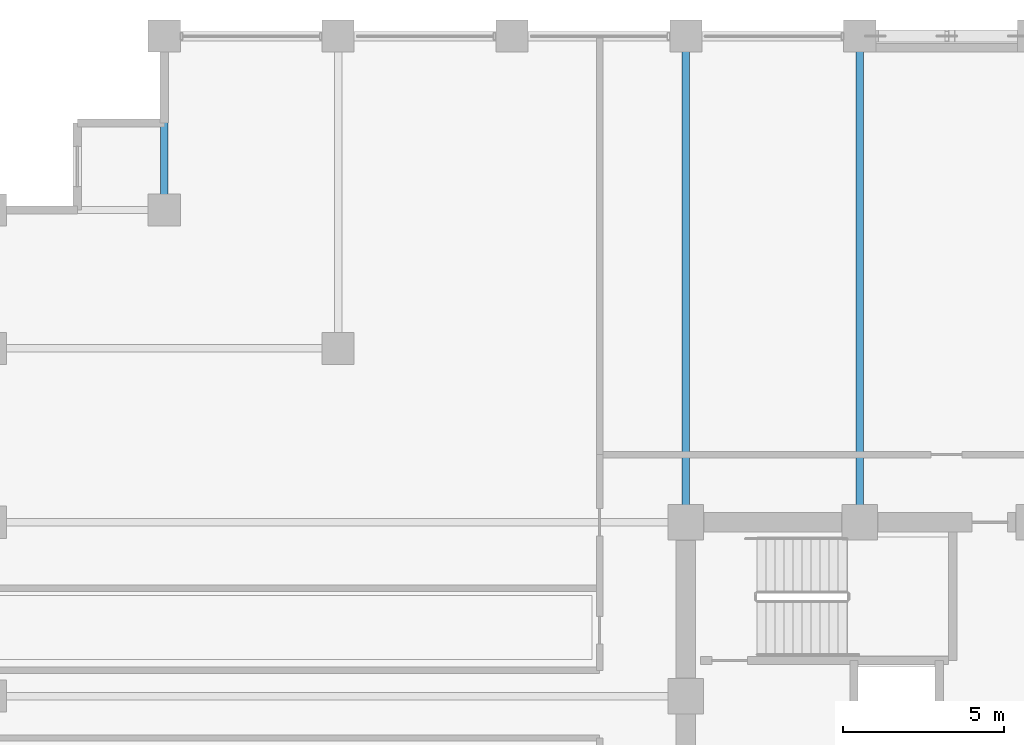
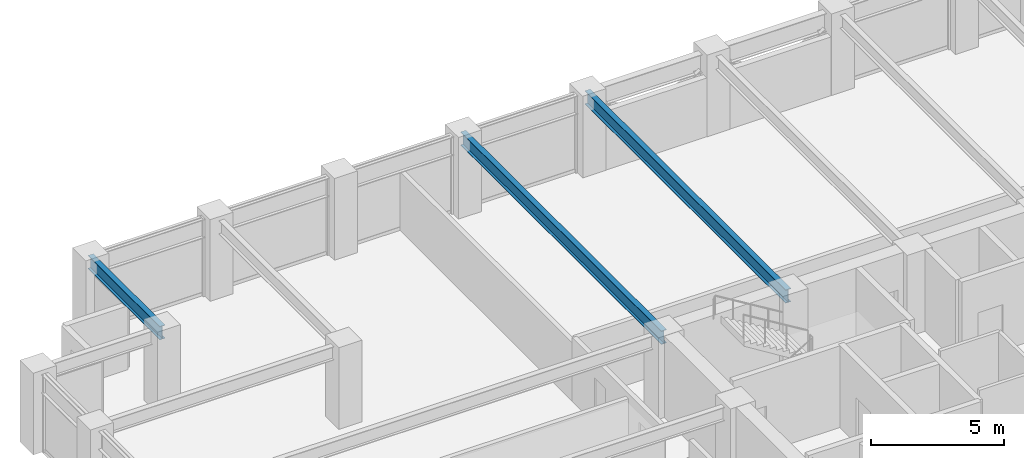
# One storey, part 13 of 29: 3 beams.
"""IFC4 building model written with IfcOpenShell, lengths in metres."""

from ifc_helpers import new_model, si_unit, direction, frame, origin, origin_2d, place, context, subcontext, project, spatial, i_section, extrude, material, material_profile, profile_set, type_object, element, save


model = new_model("IFC4")

# Units and contexts
model_context = context("Model", 3, precision=1e-05, world=origin(), true_north=direction((0.0, 1.0)))
body_context = subcontext(model_context, "Body", "Model", "MODEL_VIEW")
ifc_project = project(units=[si_unit("LENGTHUNIT", "METRE"), si_unit("AREAUNIT", "SQUARE_METRE"), si_unit("VOLUMEUNIT", "CUBIC_METRE"), si_unit("PLANEANGLEUNIT", "RADIAN"), si_unit("MASSUNIT", "GRAM", prefix="KILO")], contexts=[model_context])

# Site, building, storey
site_placement = place(None, origin())
site = spatial("IfcSite", under=ifc_project, at=site_placement, CompositionType="ELEMENT")
building_placement = place(site_placement, origin())
building = spatial("IfcBuilding", under=site, at=building_placement, Name="Surkhivell Harbour Commons", CompositionType="ELEMENT")
storey_placement = place(building_placement, frame((0.0, 0.0, 150.75)))
storey = spatial("IfcBuildingStorey", under=building, at=storey_placement, Name="L39", CompositionType="ELEMENT", Elevation=150.75)

# Beams
ifc_material = material(Name="Steel S355", Category="steel")
ifc_material_profile = material_profile(ifc_material, i_section(OverallWidth=0.22998046875, OverallDepth=0.616943359375, WebThickness=0.01318359375, FlangeThickness=0.022216796875, at=origin_2d()), Name="UB610x229x140")
ifc_profile_set = profile_set([ifc_material_profile], Name="Steel S355")
beam_type = type_object("IfcBeamType", Name="BM-GRD-610B", PredefinedType="BEAM", material=ifc_profile_set)
beam_placement = place(storey_placement, frame((-27.0, 20.5, 3.261474609375), z_axis=(0.0, 1.0, 0.0), x_axis=(-1.0, 0.0, 0.0)))
element("IfcBeam", 1, at=beam_placement, inside=storey, type_object=beam_type, Name="L39 Floor Girder (-27.0,20.5)", PredefinedType="BEAM", context=body_context, shape_type="SweptSolid", body=[
    extrude(i_section(OverallWidth=0.22998046875, OverallDepth=0.616943359375, WebThickness=0.01318359375, FlangeThickness=0.022216796875, at=origin_2d()), origin(), (0.0, 0.0, 1.0), 5.39990234375),
])
for number, where, z_axis, x_axis, name in (
    (2, (-10.800048828125, 10.800048828125, 3.261474609375), (0.0, 1.0, 0.0), (-1.0, 0.0, 0.0), "L39 Floor Girder (-10.8,10.8)"),
    (3, (-5.39990234375, 10.800048828125, 3.261474609375), (0.0, 1.0, 0.0), (-1.0, 0.0, 0.0), "L39 Floor Girder (-5.4,10.8)"),
):
    element("IfcBeam", number, at=place(storey_placement, frame(where, z_axis=z_axis, x_axis=x_axis)), inside=storey, type_object=beam_type, Name=name, PredefinedType="BEAM", context=body_context, shape_type="SweptSolid", body=[
        extrude(i_section(OverallWidth=0.22998046875, OverallDepth=0.616943359375, WebThickness=0.01318359375, FlangeThickness=0.022216796875, at=origin_2d()), origin(), (0.0, 0.0, 1.0), 15.099853515625),
    ])

save(model, "model.ifc")
